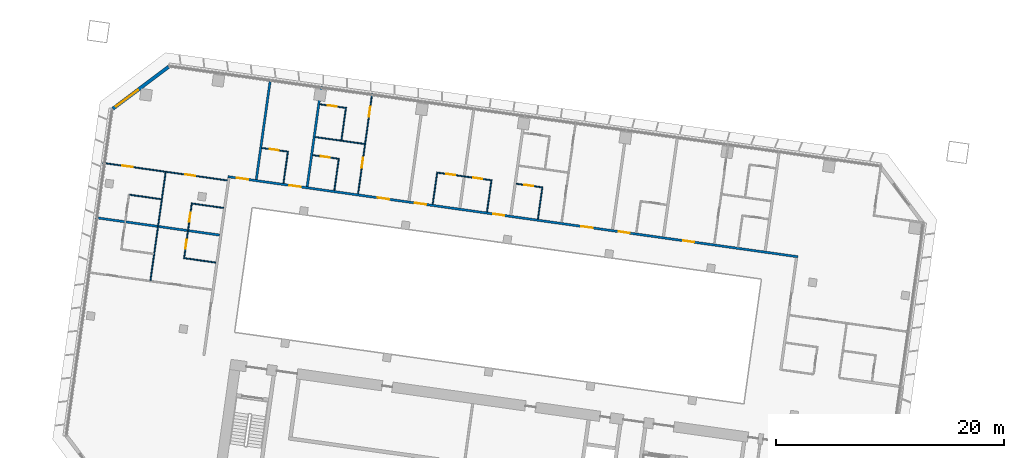
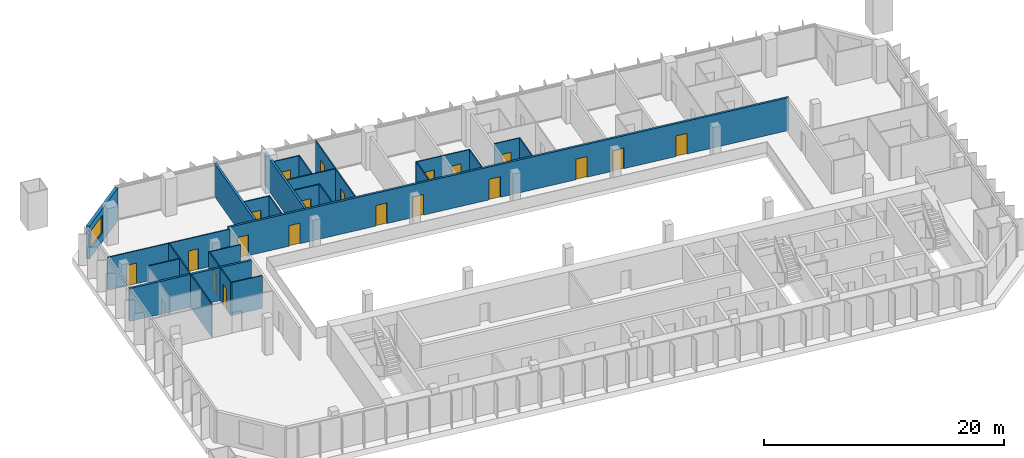
# One storey, part 16 of 25: 24 walls, 20 doors, 1 window, 21 openings.
"""IFC4 building model written with IfcOpenShell, lengths in metres."""

from ifc_helpers import new_model, si_unit, direction, frame, frame_2d, origin, place, context, subcontext, project, spatial, rectangle, extrude, material, layer, layer_set, type_object, element, fill, save


model = new_model("IFC4")

# Units and contexts
model_context = context("Model", 3, precision=1e-05, world=origin(), true_north=direction((0.0, 1.0)))
body_context = subcontext(model_context, "Body", "Model", "MODEL_VIEW")
ifc_project = project(units=[si_unit("LENGTHUNIT", "METRE"), si_unit("AREAUNIT", "SQUARE_METRE"), si_unit("VOLUMEUNIT", "CUBIC_METRE"), si_unit("PLANEANGLEUNIT", "RADIAN"), si_unit("MASSUNIT", "GRAM", prefix="KILO")], contexts=[model_context])

# Site, building, storey
site_placement = place(None, origin())
site = spatial("IfcSite", under=ifc_project, at=site_placement, CompositionType="ELEMENT")
building_placement = place(site_placement, origin())
building = spatial("IfcBuilding", under=site, at=building_placement, Name="Mirante Cascada Hotel Towers", CompositionType="ELEMENT")
storey_placement = place(building_placement, frame((0.0, 0.0, 54.7)))
storey = spatial("IfcBuildingStorey", under=building, at=storey_placement, Name="L10", CompositionType="ELEMENT", Elevation=54.7)

# Wall
ifc_material_1 = material(Name="Fire-rated plasterboard on metal studs")
ifc_layer_1 = layer(ifc_material_1, 0.2)
ifc_layer_set_1 = layer_set([ifc_layer_1], Name="Compartment wall 200 EI 120")
wall_type_1 = type_object("IfcWallType", Name="Compartment wall 200 EI 120", PredefinedType="PARTITIONING", material=ifc_layer_set_1)
wall_1_placement = place(storey_placement, frame((-89.7337, 11.2758, 0.0), z_axis=(0.0, 0.0, 1.0), x_axis=(-0.990268, 0.1391733, 0.0)))
element("IfcWall", 1, at=wall_1_placement, inside=storey, type_object=wall_type_1, Name="Wall 1-L10-13", PredefinedType="PARTITIONING", context=body_context, shape_type="SweptSolid", body=[
    extrude(rectangle(XDim=11.0, YDim=0.2, at=frame_2d((5.5, 0.0))), origin(), (0.0, 0.0, 1.0), 3.35),
])

# Wall, openings, doors
wall_2_placement = place(storey_placement, frame((-39.1051, 9.3779, 0.0), z_axis=(0.0, 0.0, 1.0), x_axis=(-0.9902681, 0.1391727, 0.0)))
wall_2 = element("IfcWall", 2, at=wall_2_placement, inside=storey, type_object=wall_type_1, Name="Wall 1-L10-17", PredefinedType="PARTITIONING", context=body_context, shape_type="SweptSolid", body=[
    extrude(rectangle(XDim=50.4, YDim=0.2, at=frame_2d((25.2, 0.0))), origin(), (0.0, 0.0, 1.0), 3.35),
])
opening_1_placement = place(wall_2_placement, frame((9.15, 0.0, 0.0)))
opening_1 = element("IfcOpeningElement", 3, at=opening_1_placement, cuts=wall_2, Name="Opening D1-L10-08", PredefinedType="OPENING", context=body_context, shape_type="SweptSolid", body=[
    extrude(rectangle(XDim=1.0, YDim=2.1, at=frame_2d((0.5, 1.05))), frame((0.0, 0.1, 0.0), z_axis=(0.0, -1.0, 0.0), x_axis=(1.0, 0.0, 0.0)), (0.0, 0.0, 1.0), 0.2),
])
opening_2_placement = place(wall_2_placement, frame((14.85, 0.0, 0.0)))
opening_2 = element("IfcOpeningElement", 4, at=opening_2_placement, cuts=wall_2, Name="Opening D1-L10-09", PredefinedType="OPENING", context=body_context, shape_type="SweptSolid", body=[
    extrude(rectangle(XDim=1.0, YDim=2.1, at=frame_2d((0.5, 1.05))), frame((0.0, 0.1, 0.0), z_axis=(0.0, -1.0, 0.0), x_axis=(1.0, 0.0, 0.0)), (0.0, 0.0, 1.0), 0.2),
])
opening_3_placement = place(wall_2_placement, frame((18.15, 0.0, 0.0)))
opening_3 = element("IfcOpeningElement", 5, at=opening_3_placement, cuts=wall_2, Name="Opening D1-L10-10", PredefinedType="OPENING", context=body_context, shape_type="SweptSolid", body=[
    extrude(rectangle(XDim=1.0, YDim=2.1, at=frame_2d((0.5, 1.05))), frame((0.0, 0.1, 0.0), z_axis=(0.0, -1.0, 0.0), x_axis=(1.0, 0.0, 0.0)), (0.0, 0.0, 1.0), 0.2),
])
opening_4_placement = place(wall_2_placement, frame((25.95, 0.0, 0.0)))
opening_4 = element("IfcOpeningElement", 6, at=opening_4_placement, cuts=wall_2, Name="Opening D1-L10-11", PredefinedType="OPENING", context=body_context, shape_type="SweptSolid", body=[
    extrude(rectangle(XDim=1.0, YDim=2.1, at=frame_2d((0.5, 1.05))), frame((0.0, 0.1, 0.0), z_axis=(0.0, -1.0, 0.0), x_axis=(1.0, 0.0, 0.0)), (0.0, 0.0, 1.0), 0.2),
])
opening_5_placement = place(wall_2_placement, frame((32.85, 0.0, 0.0)))
opening_5 = element("IfcOpeningElement", 7, at=opening_5_placement, cuts=wall_2, Name="Opening D1-L10-12", PredefinedType="OPENING", context=body_context, shape_type="SweptSolid", body=[
    extrude(rectangle(XDim=1.0, YDim=2.1, at=frame_2d((0.5, 1.05))), frame((0.0, 0.1, 0.0), z_axis=(0.0, -1.0, 0.0), x_axis=(1.0, 0.0, 0.0)), (0.0, 0.0, 1.0), 0.2),
])
opening_6_placement = place(wall_2_placement, frame((36.15, 0.0, 0.0)))
opening_6 = element("IfcOpeningElement", 8, at=opening_6_placement, cuts=wall_2, Name="Opening D1-L10-13", PredefinedType="OPENING", context=body_context, shape_type="SweptSolid", body=[
    extrude(rectangle(XDim=1.0, YDim=2.1, at=frame_2d((0.5, 1.05))), frame((0.0, 0.1, 0.0), z_axis=(0.0, -1.0, 0.0), x_axis=(1.0, 0.0, 0.0)), (0.0, 0.0, 1.0), 0.2),
])
opening_7_placement = place(wall_2_placement, frame((43.95, 0.0, 0.0)))
opening_7 = element("IfcOpeningElement", 9, at=opening_7_placement, cuts=wall_2, Name="Opening D1-L10-14", PredefinedType="OPENING", context=body_context, shape_type="SweptSolid", body=[
    extrude(rectangle(XDim=1.0, YDim=2.1, at=frame_2d((0.5, 1.05))), frame((0.0, 0.1, 0.0), z_axis=(0.0, -1.0, 0.0), x_axis=(1.0, 0.0, 0.0)), (0.0, 0.0, 1.0), 0.2),
])
opening_8_placement = place(wall_2_placement, frame((48.6, 0.0, 0.0)))
opening_8 = element("IfcOpeningElement", 10, at=opening_8_placement, cuts=wall_2, Name="Opening D1-L10-15", PredefinedType="OPENING", context=body_context, shape_type="SweptSolid", body=[
    extrude(rectangle(XDim=1.0, YDim=2.1, at=frame_2d((0.5, 1.05))), frame((0.0, 0.1, 0.0), z_axis=(0.0, -1.0, 0.0), x_axis=(1.0, 0.0, 0.0)), (0.0, 0.0, 1.0), 0.2),
])
ifc_material_2 = material(Name="Fire-rated timber door leaf", Category="wood")
door_type_1 = type_object("IfcDoorType", Name="Entrance door DG1 1000x2100 EI 60", OperationType="SINGLE_SWING_LEFT", PredefinedType="DOOR", material=ifc_material_2)
door_1_placement = place(opening_1_placement, frame((1.0, 0.0, 0.0), z_axis=(0.0, 0.0, 1.0), x_axis=(-1.0, 0.0, 0.0)))
door_1 = element("IfcDoor", 11, at=door_1_placement, inside=storey, type_object=door_type_1, Name="Door D1-L10-08", OperationType="SINGLE_SWING_RIGHT", OverallHeight=2.1, OverallWidth=1.0, PredefinedType="DOOR", context=body_context, shape_type="SweptSolid", body=[
    extrude(rectangle(XDim=1.0, YDim=2.1, at=frame_2d((0.5, 1.05))), frame((0.0, 0.025, 0.0), z_axis=(0.0, -1.0, 0.0), x_axis=(1.0, 0.0, 0.0)), (0.0, 0.0, 1.0), 0.05),
])
fill(opening_1, door_1)
door_2_placement = place(opening_2_placement, frame((1.0, 0.0, 0.0), z_axis=(0.0, 0.0, 1.0), x_axis=(-1.0, 0.0, 0.0)))
door_2 = element("IfcDoor", 12, at=door_2_placement, inside=storey, type_object=door_type_1, Name="Door D1-L10-09", OperationType="SINGLE_SWING_RIGHT", OverallHeight=2.1, OverallWidth=1.0, PredefinedType="DOOR", context=body_context, shape_type="SweptSolid", body=[
    extrude(rectangle(XDim=1.0, YDim=2.1, at=frame_2d((0.5, 1.05))), frame((0.0, 0.025, 0.0), z_axis=(0.0, -1.0, 0.0), x_axis=(1.0, 0.0, 0.0)), (0.0, 0.0, 1.0), 0.05),
])
fill(opening_2, door_2)
door_3_placement = place(opening_3_placement, frame((1.0, 0.0, 0.0), z_axis=(0.0, 0.0, 1.0), x_axis=(-1.0, 0.0, 0.0)))
door_3 = element("IfcDoor", 13, at=door_3_placement, inside=storey, type_object=door_type_1, Name="Door D1-L10-10", OperationType="SINGLE_SWING_RIGHT", OverallHeight=2.1, OverallWidth=1.0, PredefinedType="DOOR", context=body_context, shape_type="SweptSolid", body=[
    extrude(rectangle(XDim=1.0, YDim=2.1, at=frame_2d((0.5, 1.05))), frame((0.0, 0.025, 0.0), z_axis=(0.0, -1.0, 0.0), x_axis=(1.0, 0.0, 0.0)), (0.0, 0.0, 1.0), 0.05),
])
fill(opening_3, door_3)
door_4_placement = place(opening_4_placement, frame((1.0, 0.0, 0.0), z_axis=(0.0, 0.0, 1.0), x_axis=(-1.0, 0.0, 0.0)))
door_4 = element("IfcDoor", 14, at=door_4_placement, inside=storey, type_object=door_type_1, Name="Door D1-L10-11", OperationType="SINGLE_SWING_RIGHT", OverallHeight=2.1, OverallWidth=1.0, PredefinedType="DOOR", context=body_context, shape_type="SweptSolid", body=[
    extrude(rectangle(XDim=1.0, YDim=2.1, at=frame_2d((0.5, 1.05))), frame((0.0, 0.025, 0.0), z_axis=(0.0, -1.0, 0.0), x_axis=(1.0, 0.0, 0.0)), (0.0, 0.0, 1.0), 0.05),
])
fill(opening_4, door_4)
door_5_placement = place(opening_5_placement, frame((1.0, 0.0, 0.0), z_axis=(0.0, 0.0, 1.0), x_axis=(-1.0, 0.0, 0.0)))
door_5 = element("IfcDoor", 15, at=door_5_placement, inside=storey, type_object=door_type_1, Name="Door D1-L10-12", OperationType="SINGLE_SWING_RIGHT", OverallHeight=2.1, OverallWidth=1.0, PredefinedType="DOOR", context=body_context, shape_type="SweptSolid", body=[
    extrude(rectangle(XDim=1.0, YDim=2.1, at=frame_2d((0.5, 1.05))), frame((0.0, 0.025, 0.0), z_axis=(0.0, -1.0, 0.0), x_axis=(1.0, 0.0, 0.0)), (0.0, 0.0, 1.0), 0.05),
])
fill(opening_5, door_5)
door_6_placement = place(opening_6_placement, frame((1.0, 0.0, 0.0), z_axis=(0.0, 0.0, 1.0), x_axis=(-1.0, 0.0, 0.0)))
door_6 = element("IfcDoor", 16, at=door_6_placement, inside=storey, type_object=door_type_1, Name="Door D1-L10-13", OperationType="SINGLE_SWING_RIGHT", OverallHeight=2.1, OverallWidth=1.0, PredefinedType="DOOR", context=body_context, shape_type="SweptSolid", body=[
    extrude(rectangle(XDim=1.0, YDim=2.1, at=frame_2d((0.5, 1.05))), frame((0.0, 0.025, 0.0), z_axis=(0.0, -1.0, 0.0), x_axis=(1.0, 0.0, 0.0)), (0.0, 0.0, 1.0), 0.05),
])
fill(opening_6, door_6)
door_7_placement = place(opening_7_placement, frame((1.0, 0.0, 0.0), z_axis=(0.0, 0.0, 1.0), x_axis=(-1.0, 0.0, 0.0)))
door_7 = element("IfcDoor", 17, at=door_7_placement, inside=storey, type_object=door_type_1, Name="Door D1-L10-14", OperationType="SINGLE_SWING_RIGHT", OverallHeight=2.1, OverallWidth=1.0, PredefinedType="DOOR", context=body_context, shape_type="SweptSolid", body=[
    extrude(rectangle(XDim=1.0, YDim=2.1, at=frame_2d((0.5, 1.05))), frame((0.0, 0.025, 0.0), z_axis=(0.0, -1.0, 0.0), x_axis=(1.0, 0.0, 0.0)), (0.0, 0.0, 1.0), 0.05),
])
fill(opening_7, door_7)
door_8_placement = place(opening_8_placement, frame((1.0, 0.0, 0.0), z_axis=(0.0, 0.0, 1.0), x_axis=(-1.0, 0.0, 0.0)))
door_8 = element("IfcDoor", 18, at=door_8_placement, inside=storey, type_object=door_type_1, Name="Door D1-L10-15", OperationType="SINGLE_SWING_RIGHT", OverallHeight=2.1, OverallWidth=1.0, PredefinedType="DOOR", context=body_context, shape_type="SweptSolid", body=[
    extrude(rectangle(XDim=1.0, YDim=2.1, at=frame_2d((0.5, 1.05))), frame((0.0, 0.025, 0.0), z_axis=(0.0, -1.0, 0.0), x_axis=(1.0, 0.0, 0.0)), (0.0, 0.0, 1.0), 0.05),
])
fill(opening_8, door_8)

# Walls
wall_3_placement = place(storey_placement, frame((-80.8302, 24.3304, 0.0), z_axis=(0.0, 0.0, 1.0), x_axis=(-0.13917, -0.9902685, 0.0)))
element("IfcWall", 19, at=wall_3_placement, inside=storey, type_object=wall_type_1, Name="Wall 1-L10-56", PredefinedType="PARTITIONING", context=body_context, shape_type="SweptSolid", body=[
    extrude(rectangle(XDim=8.8999, YDim=0.2, at=frame_2d((4.45, 0.0))), origin(), (0.0, 0.0, 1.0), 3.35),
])
wall_4_placement = place(storey_placement, frame((-85.2864, 24.9567, 0.0), z_axis=(0.0, 0.0, 1.0), x_axis=(-0.1391684, -0.9902687, 0.0)))
element("IfcWall", 20, at=wall_4_placement, inside=storey, type_object=wall_type_1, Name="Wall 1-L10-58", PredefinedType="PARTITIONING", context=body_context, shape_type="SweptSolid", body=[
    extrude(rectangle(XDim=8.9, YDim=0.2, at=frame_2d((4.45, 0.0))), origin(), (0.0, 0.0, 1.0), 3.35),
])
ifc_material_3 = material(Name="Plasterboard on metal studs")
ifc_layer_2 = layer(ifc_material_3, 0.1)
ifc_layer_set_2 = layer_set([ifc_layer_2], Name="Partition 100")
wall_type_2 = type_object("IfcWallType", Name="Partition 100", PredefinedType="PARTITIONING", material=ifc_layer_set_2)
wall_5_placement = place(storey_placement, frame((-92.7956, 9.2489, 0.0), z_axis=(0.0, 0.0, 1.0), x_axis=(0.9902698, -0.1391607, 0.0)))
element("IfcWall", 21, at=wall_5_placement, inside=storey, type_object=wall_type_2, Name="Wall 1-L10-10", PredefinedType="PARTITIONING", context=body_context, shape_type="SweptSolid", body=[
    extrude(rectangle(XDim=2.7501, YDim=0.1, at=frame_2d((1.3751, 0.0))), origin(), (0.0, 0.0, 1.0), 3.35),
])
wall_6_placement = place(storey_placement, frame((-92.1229, 14.0352, 0.0), z_axis=(0.0, 0.0, 1.0), x_axis=(0.9902691, -0.1391657, 0.0)))
element("IfcWall", 22, at=wall_6_placement, inside=storey, type_object=wall_type_2, Name="Wall 1-L10-14", PredefinedType="PARTITIONING", context=body_context, shape_type="SweptSolid", body=[
    extrude(rectangle(XDim=2.75, YDim=0.1, at=frame_2d((1.375, 0.0))), origin(), (0.0, 0.0, 1.0), 3.35),
])
wall_7_placement = place(storey_placement, frame((-94.8461, 14.4179, 0.0), z_axis=(0.0, 0.0, 1.0), x_axis=(-0.9902677, 0.139176, 0.0)))
element("IfcWall", 23, at=wall_7_placement, inside=storey, type_object=wall_type_2, Name="Wall 1-L10-15", PredefinedType="PARTITIONING", context=body_context, shape_type="SweptSolid", body=[
    extrude(rectangle(XDim=2.8001, YDim=0.1, at=frame_2d((1.4, 0.0))), origin(), (0.0, 0.0, 1.0), 3.35),
])

# Wall, openings, doors
wall_8_placement = place(storey_placement, frame((-99.954, 17.5931, 0.0), z_axis=(0.0, 0.0, 1.0), x_axis=(0.9902682, -0.1391721, 0.0)))
wall_8 = element("IfcWall", 24, at=wall_8_placement, inside=storey, type_object=wall_type_2, Name="Wall 1-L10-16", PredefinedType="PARTITIONING", context=body_context, shape_type="SweptSolid", body=[
    extrude(rectangle(XDim=11.0001, YDim=0.1, at=frame_2d((5.5, 0.0))), origin(), (0.0, 0.0, 1.0), 3.35),
])
opening_9_placement = place(wall_8_placement, frame((7.275, 0.0, 0.0)))
opening_9 = element("IfcOpeningElement", 25, at=opening_9_placement, cuts=wall_8, Name="Opening D1-L10-06", PredefinedType="OPENING", context=body_context, shape_type="SweptSolid", body=[
    extrude(rectangle(XDim=0.9, YDim=2.1, at=frame_2d((0.45, 1.05))), frame((0.0, 0.05, 0.0), z_axis=(0.0, -1.0, 0.0), x_axis=(1.0, 0.0, 0.0)), (0.0, 0.0, 1.0), 0.1),
])
opening_10_placement = place(wall_8_placement, frame((1.725, 0.0, 0.0)))
opening_10 = element("IfcOpeningElement", 26, at=opening_10_placement, cuts=wall_8, Name="Opening D1-L10-07", PredefinedType="OPENING", context=body_context, shape_type="SweptSolid", body=[
    extrude(rectangle(XDim=0.9, YDim=2.1, at=frame_2d((0.45, 1.05))), frame((0.0, 0.05, 0.0), z_axis=(0.0, -1.0, 0.0), x_axis=(1.0, 0.0, 0.0)), (0.0, 0.0, 1.0), 0.1),
])
ifc_material_4 = material(Name="Timber door leaf", Category="wood")
door_type_2 = type_object("IfcDoorType", Name="Room door DG3 900x2100", OperationType="SINGLE_SWING_LEFT", PredefinedType="DOOR", material=ifc_material_4)
door_9_placement = place(opening_9_placement, origin())
door_9 = element("IfcDoor", 27, at=door_9_placement, inside=storey, type_object=door_type_2, Name="Door D1-L10-06", OperationType="SINGLE_SWING_LEFT", OverallHeight=2.1, OverallWidth=0.9, PredefinedType="DOOR", context=body_context, shape_type="SweptSolid", body=[
    extrude(rectangle(XDim=0.9, YDim=2.1, at=frame_2d((0.45, 1.05))), frame((0.0, 0.025, 0.0), z_axis=(0.0, -1.0, 0.0), x_axis=(1.0, 0.0, 0.0)), (0.0, 0.0, 1.0), 0.05),
])
fill(opening_9, door_9)
door_10_placement = place(opening_10_placement, origin())
door_10 = element("IfcDoor", 28, at=door_10_placement, inside=storey, type_object=door_type_2, Name="Door D1-L10-07", OperationType="SINGLE_SWING_LEFT", OverallHeight=2.1, OverallWidth=0.9, PredefinedType="DOOR", context=body_context, shape_type="SweptSolid", body=[
    extrude(rectangle(XDim=0.9, YDim=2.1, at=frame_2d((0.45, 1.05))), frame((0.0, 0.025, 0.0), z_axis=(0.0, -1.0, 0.0), x_axis=(1.0, 0.0, 0.0)), (0.0, 0.0, 1.0), 0.05),
])
fill(opening_10, door_10)

# Wall, opening, door
wall_9_placement = place(storey_placement, frame((-63.7553, 15.7708, 0.0), z_axis=(0.0, 0.0, 1.0), x_axis=(0.9902643, -0.1391997, 0.0)))
wall_9 = element("IfcWall", 29, at=wall_9_placement, inside=storey, type_object=wall_type_2, Name="Wall 1-L10-20", PredefinedType="PARTITIONING", context=body_context, shape_type="SweptSolid", body=[
    extrude(rectangle(XDim=2.25, YDim=0.1, at=frame_2d((1.125, 0.0))), origin(), (0.0, 0.0, 1.0), 3.35),
])
opening_11_placement = place(wall_9_placement, frame((0.7, 0.0, 0.0)))
opening_11 = element("IfcOpeningElement", 30, at=opening_11_placement, cuts=wall_9, Name="Opening D1-L10-18", PredefinedType="OPENING", context=body_context, shape_type="SweptSolid", body=[
    extrude(rectangle(XDim=0.8, YDim=2.1, at=frame_2d((0.4, 1.05))), frame((0.0, 0.05, 0.0), z_axis=(0.0, -1.0, 0.0), x_axis=(1.0, 0.0, 0.0)), (0.0, 0.0, 1.0), 0.1),
])
ifc_material_5 = material(Name="Timber door leaf", Category="wood")
door_type_3 = type_object("IfcDoorType", Name="Bathroom door DG4 800x2100", OperationType="SINGLE_SWING_LEFT", PredefinedType="DOOR", material=ifc_material_5)
door_11_placement = place(opening_11_placement, frame((0.8, 0.0, 0.0), z_axis=(0.0, 0.0, 1.0), x_axis=(-1.0, 0.0, 0.0)))
door_11 = element("IfcDoor", 31, at=door_11_placement, inside=storey, type_object=door_type_3, Name="Door D1-L10-18", OperationType="SINGLE_SWING_RIGHT", OverallHeight=2.1, OverallWidth=0.8, PredefinedType="DOOR", context=body_context, shape_type="SweptSolid", body=[
    extrude(rectangle(XDim=0.8, YDim=2.1, at=frame_2d((0.4, 1.05))), frame((0.0, 0.025, 0.0), z_axis=(0.0, -1.0, 0.0), x_axis=(1.0, 0.0, 0.0)), (0.0, 0.0, 1.0), 0.05),
])
fill(opening_11, door_11)

# Wall, openings, doors
wall_10_placement = place(storey_placement, frame((-65.8844, 16.07, 0.0), z_axis=(0.0, 0.0, 1.0), x_axis=(-0.9902694, 0.1391638, 0.0)))
wall_10 = element("IfcWall", 32, at=wall_10_placement, inside=storey, type_object=wall_type_2, Name="Wall 1-L10-21", PredefinedType="PARTITIONING", context=body_context, shape_type="SweptSolid", body=[
    extrude(rectangle(XDim=4.9, YDim=0.1, at=frame_2d((2.45, 0.0))), origin(), (0.0, 0.0, 1.0), 3.35),
])
opening_12_placement = place(wall_10_placement, frame((0.85, 0.0, 0.0)))
opening_12 = element("IfcOpeningElement", 33, at=opening_12_placement, cuts=wall_10, Name="Opening D1-L10-19", PredefinedType="OPENING", context=body_context, shape_type="SweptSolid", body=[
    extrude(rectangle(XDim=0.8, YDim=2.1, at=frame_2d((0.4, 1.05))), frame((0.0, 0.05, 0.0), z_axis=(0.0, -1.0, 0.0), x_axis=(1.0, 0.0, 0.0)), (0.0, 0.0, 1.0), 0.1),
])
opening_13_placement = place(wall_10_placement, frame((3.25, 0.0, 0.0)))
opening_13 = element("IfcOpeningElement", 34, at=opening_13_placement, cuts=wall_10, Name="Opening D1-L10-20", PredefinedType="OPENING", context=body_context, shape_type="SweptSolid", body=[
    extrude(rectangle(XDim=0.8, YDim=2.1, at=frame_2d((0.4, 1.05))), frame((0.0, 0.05, 0.0), z_axis=(0.0, -1.0, 0.0), x_axis=(1.0, 0.0, 0.0)), (0.0, 0.0, 1.0), 0.1),
])
door_12_placement = place(opening_12_placement, frame((0.8, 0.0, 0.0), z_axis=(0.0, 0.0, 1.0), x_axis=(-1.0, 0.0, 0.0)))
door_12 = element("IfcDoor", 35, at=door_12_placement, inside=storey, type_object=door_type_3, Name="Door D1-L10-19", OperationType="SINGLE_SWING_RIGHT", OverallHeight=2.1, OverallWidth=0.8, PredefinedType="DOOR", context=body_context, shape_type="SweptSolid", body=[
    extrude(rectangle(XDim=0.8, YDim=2.1, at=frame_2d((0.4, 1.05))), frame((0.0, 0.025, 0.0), z_axis=(0.0, -1.0, 0.0), x_axis=(1.0, 0.0, 0.0)), (0.0, 0.0, 1.0), 0.05),
])
fill(opening_12, door_12)
door_13_placement = place(opening_13_placement, frame((0.8, 0.0, 0.0), z_axis=(0.0, 0.0, 1.0), x_axis=(-1.0, 0.0, 0.0)))
door_13 = element("IfcDoor", 36, at=door_13_placement, inside=storey, type_object=door_type_3, Name="Door D1-L10-20", OperationType="SINGLE_SWING_RIGHT", OverallHeight=2.1, OverallWidth=0.8, PredefinedType="DOOR", context=body_context, shape_type="SweptSolid", body=[
    extrude(rectangle(XDim=0.8, YDim=2.1, at=frame_2d((0.4, 1.05))), frame((0.0, 0.025, 0.0), z_axis=(0.0, -1.0, 0.0), x_axis=(1.0, 0.0, 0.0)), (0.0, 0.0, 1.0), 0.05),
])
fill(opening_13, door_13)

# Wall, opening, door
wall_11_placement = place(storey_placement, frame((-81.5801, 18.2759, 0.0), z_axis=(0.0, 0.0, 1.0), x_axis=(0.9902643, -0.1391997, 0.0)))
wall_11 = element("IfcWall", 37, at=wall_11_placement, inside=storey, type_object=wall_type_2, Name="Wall 1-L10-22", PredefinedType="PARTITIONING", context=body_context, shape_type="SweptSolid", body=[
    extrude(rectangle(XDim=2.25, YDim=0.1, at=frame_2d((1.125, 0.0))), origin(), (0.0, 0.0, 1.0), 3.35),
])
opening_14_placement = place(wall_11_placement, frame((0.7, 0.0, 0.0)))
opening_14 = element("IfcOpeningElement", 38, at=opening_14_placement, cuts=wall_11, Name="Opening D1-L10-21", PredefinedType="OPENING", context=body_context, shape_type="SweptSolid", body=[
    extrude(rectangle(XDim=0.8, YDim=2.1, at=frame_2d((0.4, 1.05))), frame((0.0, 0.05, 0.0), z_axis=(0.0, -1.0, 0.0), x_axis=(1.0, 0.0, 0.0)), (0.0, 0.0, 1.0), 0.1),
])
door_14_placement = place(opening_14_placement, frame((0.8, 0.0, 0.0), z_axis=(0.0, 0.0, 1.0), x_axis=(-1.0, 0.0, 0.0)))
door_14 = element("IfcDoor", 39, at=door_14_placement, inside=storey, type_object=door_type_3, Name="Door D1-L10-21", OperationType="SINGLE_SWING_RIGHT", OverallHeight=2.1, OverallWidth=0.8, PredefinedType="DOOR", context=body_context, shape_type="SweptSolid", body=[
    extrude(rectangle(XDim=0.8, YDim=2.1, at=frame_2d((0.4, 1.05))), frame((0.0, 0.025, 0.0), z_axis=(0.0, -1.0, 0.0), x_axis=(1.0, 0.0, 0.0)), (0.0, 0.0, 1.0), 0.05),
])
fill(opening_14, door_14)

wall_12_placement = place(storey_placement, frame((-83.8082, 18.589, 0.0), z_axis=(0.0, 0.0, 1.0), x_axis=(-0.9902643, 0.1391997, 0.0)))
wall_12 = element("IfcWall", 40, at=wall_12_placement, inside=storey, type_object=wall_type_2, Name="Wall 1-L10-23", PredefinedType="PARTITIONING", context=body_context, shape_type="SweptSolid", body=[
    extrude(rectangle(XDim=2.25, YDim=0.1, at=frame_2d((1.125, 0.0))), origin(), (0.0, 0.0, 1.0), 3.35),
])
opening_15_placement = place(wall_12_placement, frame((0.75, 0.0, 0.0)))
opening_15 = element("IfcOpeningElement", 41, at=opening_15_placement, cuts=wall_12, Name="Opening D1-L10-22", PredefinedType="OPENING", context=body_context, shape_type="SweptSolid", body=[
    extrude(rectangle(XDim=0.8, YDim=2.1, at=frame_2d((0.4, 1.05))), frame((0.0, 0.05, 0.0), z_axis=(0.0, -1.0, 0.0), x_axis=(1.0, 0.0, 0.0)), (0.0, 0.0, 1.0), 0.1),
])
door_15_placement = place(opening_15_placement, frame((0.8, 0.0, 0.0), z_axis=(0.0, 0.0, 1.0), x_axis=(-1.0, 0.0, 0.0)))
door_15 = element("IfcDoor", 42, at=door_15_placement, inside=storey, type_object=door_type_3, Name="Door D1-L10-22", OperationType="SINGLE_SWING_RIGHT", OverallHeight=2.1, OverallWidth=0.8, PredefinedType="DOOR", context=body_context, shape_type="SweptSolid", body=[
    extrude(rectangle(XDim=0.8, YDim=2.1, at=frame_2d((0.4, 1.05))), frame((0.0, 0.025, 0.0), z_axis=(0.0, -1.0, 0.0), x_axis=(1.0, 0.0, 0.0)), (0.0, 0.0, 1.0), 0.05),
])
fill(opening_15, door_15)

# Wall
wall_13_placement = place(storey_placement, frame((-77.0498, 19.2549, 0.0), z_axis=(0.0, 0.0, 1.0), x_axis=(-0.9902679, 0.1391745, 0.0)))
element("IfcWall", 43, at=wall_13_placement, inside=storey, type_object=wall_type_2, Name="Wall 1-L10-27", PredefinedType="PARTITIONING", context=body_context, shape_type="SweptSolid", body=[
    extrude(rectangle(XDim=4.3499, YDim=0.1, at=frame_2d((2.175, 0.0))), origin(), (0.0, 0.0, 1.0), 3.35),
])

# Wall, opening, door
wall_14_placement = place(storey_placement, frame((-80.9538, 22.7321, 0.0), z_axis=(0.0, 0.0, 1.0), x_axis=(0.9902705, -0.1391561, 0.0)))
wall_14 = element("IfcWall", 44, at=wall_14_placement, inside=storey, type_object=wall_type_2, Name="Wall 1-L10-30", PredefinedType="PARTITIONING", context=body_context, shape_type="SweptSolid", body=[
    extrude(rectangle(XDim=2.25, YDim=0.1, at=frame_2d((1.125, 0.0))), origin(), (0.0, 0.0, 1.0), 3.35),
])
opening_16_placement = place(wall_14_placement, frame((0.7, 0.0, 0.0)))
opening_16 = element("IfcOpeningElement", 45, at=opening_16_placement, cuts=wall_14, Name="Opening D1-L10-25", PredefinedType="OPENING", context=body_context, shape_type="SweptSolid", body=[
    extrude(rectangle(XDim=0.8, YDim=2.1, at=frame_2d((0.4, 1.05))), frame((0.0, 0.05, 0.0), z_axis=(0.0, -1.0, 0.0), x_axis=(1.0, 0.0, 0.0)), (0.0, 0.0, 1.0), 0.1),
])
door_16_placement = place(opening_16_placement, frame((0.8, 0.0, 0.0), z_axis=(0.0, 0.0, 1.0), x_axis=(-1.0, 0.0, 0.0)))
door_16 = element("IfcDoor", 46, at=door_16_placement, inside=storey, type_object=door_type_3, Name="Door D1-L10-25", OperationType="SINGLE_SWING_RIGHT", OverallHeight=2.1, OverallWidth=0.8, PredefinedType="DOOR", context=body_context, shape_type="SweptSolid", body=[
    extrude(rectangle(XDim=0.8, YDim=2.1, at=frame_2d((0.4, 1.05))), frame((0.0, 0.025, 0.0), z_axis=(0.0, -1.0, 0.0), x_axis=(1.0, 0.0, 0.0)), (0.0, 0.0, 1.0), 0.05),
])
fill(opening_16, door_16)

# Walls
wall_15_placement = place(storey_placement, frame((-61.4707, 15.5002, 0.0), z_axis=(0.0, 0.0, 1.0), x_axis=(-0.1391909, -0.9902656, 0.0)))
element("IfcWall", 47, at=wall_15_placement, inside=storey, type_object=wall_type_2, Name="Wall 1-L10-46", PredefinedType="PARTITIONING", context=body_context, shape_type="SweptSolid", body=[
    extrude(rectangle(XDim=2.85, YDim=0.1, at=frame_2d((1.425, 0.0))), origin(), (0.0, 0.0, 1.0), 3.35),
])
wall_16_placement = place(storey_placement, frame((-66.3236, 13.3042, 0.0), z_axis=(0.0, 0.0, 1.0), x_axis=(0.1392013, 0.9902641, 0.0)))
element("IfcWall", 48, at=wall_16_placement, inside=storey, type_object=wall_type_2, Name="Wall 1-L10-49", PredefinedType="PARTITIONING", context=body_context, shape_type="SweptSolid", body=[
    extrude(rectangle(XDim=2.75, YDim=0.1, at=frame_2d((1.375, 0.0))), origin(), (0.0, 0.0, 1.0), 3.35),
])
wall_17_placement = place(storey_placement, frame((-71.0769, 13.9722, 0.0), z_axis=(0.0, 0.0, 1.0), x_axis=(0.1391963, 0.9902648, 0.0)))
element("IfcWall", 49, at=wall_17_placement, inside=storey, type_object=wall_type_2, Name="Wall 1-L10-51", PredefinedType="PARTITIONING", context=body_context, shape_type="SweptSolid", body=[
    extrude(rectangle(XDim=2.7501, YDim=0.1, at=frame_2d((1.3751, 0.0))), origin(), (0.0, 0.0, 1.0), 3.35),
])

# Wall, openings, doors
wall_18_placement = place(storey_placement, frame((-77.6126, 14.8908, 0.0), z_axis=(0.0, 0.0, 1.0), x_axis=(0.1391684, 0.9902687, 0.0)))
wall_18 = element("IfcWall", 50, at=wall_18_placement, inside=storey, type_object=wall_type_2, Name="Wall 1-L10-53", PredefinedType="PARTITIONING", context=body_context, shape_type="SweptSolid", body=[
    extrude(rectangle(XDim=8.9, YDim=0.1, at=frame_2d((4.45, 0.0))), origin(), (0.0, 0.0, 1.0), 3.35),
])
opening_17_placement = place(wall_18_placement, frame((2.3, 0.0, 0.0)))
opening_17 = element("IfcOpeningElement", 51, at=opening_17_placement, cuts=wall_18, Name="Opening D1-L10-36", PredefinedType="OPENING", context=body_context, shape_type="SweptSolid", body=[
    extrude(rectangle(XDim=0.9, YDim=2.1, at=frame_2d((0.45, 1.05))), frame((0.0, 0.05, 0.0), z_axis=(0.0, -1.0, 0.0), x_axis=(1.0, 0.0, 0.0)), (0.0, 0.0, 1.0), 0.1),
])
opening_18_placement = place(wall_18_placement, frame((6.8, 0.0, 0.0)))
opening_18 = element("IfcOpeningElement", 52, at=opening_18_placement, cuts=wall_18, Name="Opening D1-L10-37", PredefinedType="OPENING", context=body_context, shape_type="SweptSolid", body=[
    extrude(rectangle(XDim=0.9, YDim=2.1, at=frame_2d((0.45, 1.05))), frame((0.0, 0.05, 0.0), z_axis=(0.0, -1.0, 0.0), x_axis=(1.0, 0.0, 0.0)), (0.0, 0.0, 1.0), 0.1),
])
door_17_placement = place(opening_17_placement, frame((0.9, 0.0, 0.0), z_axis=(0.0, 0.0, 1.0), x_axis=(-1.0, 0.0, 0.0)))
door_17 = element("IfcDoor", 53, at=door_17_placement, inside=storey, type_object=door_type_2, Name="Door D1-L10-36", OperationType="SINGLE_SWING_RIGHT", OverallHeight=2.1, OverallWidth=0.9, PredefinedType="DOOR", context=body_context, shape_type="SweptSolid", body=[
    extrude(rectangle(XDim=0.9, YDim=2.1, at=frame_2d((0.45, 1.05))), frame((0.0, 0.025, 0.0), z_axis=(0.0, -1.0, 0.0), x_axis=(1.0, 0.0, 0.0)), (0.0, 0.0, 1.0), 0.05),
])
fill(opening_17, door_17)
door_18_placement = place(opening_18_placement, frame((0.9, 0.0, 0.0), z_axis=(0.0, 0.0, 1.0), x_axis=(-1.0, 0.0, 0.0)))
door_18 = element("IfcDoor", 54, at=door_18_placement, inside=storey, type_object=door_type_2, Name="Door D1-L10-37", OperationType="SINGLE_SWING_RIGHT", OverallHeight=2.1, OverallWidth=0.9, PredefinedType="DOOR", context=body_context, shape_type="SweptSolid", body=[
    extrude(rectangle(XDim=0.9, YDim=2.1, at=frame_2d((0.45, 1.05))), frame((0.0, 0.025, 0.0), z_axis=(0.0, -1.0, 0.0), x_axis=(1.0, 0.0, 0.0)), (0.0, 0.0, 1.0), 0.05),
])
fill(opening_18, door_18)

# Walls
wall_19_placement = place(storey_placement, frame((-79.2955, 18.0053, 0.0), z_axis=(0.0, 0.0, 1.0), x_axis=(-0.1391909, -0.9902656, 0.0)))
element("IfcWall", 55, at=wall_19_placement, inside=storey, type_object=wall_type_2, Name="Wall 1-L10-54", PredefinedType="PARTITIONING", context=body_context, shape_type="SweptSolid", body=[
    extrude(rectangle(XDim=2.85, YDim=0.1, at=frame_2d((1.425, 0.0))), origin(), (0.0, 0.0, 1.0), 3.35),
])
wall_20_placement = place(storey_placement, frame((-79.0729, 19.5897, 0.0), z_axis=(0.0, 0.0, 1.0), x_axis=(0.1391714, 0.9902683, 0.0)))
element("IfcWall", 56, at=wall_20_placement, inside=storey, type_object=wall_type_2, Name="Wall 1-L10-55", PredefinedType="PARTITIONING", context=body_context, shape_type="SweptSolid", body=[
    extrude(rectangle(XDim=2.9, YDim=0.1, at=frame_2d((1.45, 0.0))), origin(), (0.0, 0.0, 1.0), 3.35),
])
wall_21_placement = place(storey_placement, frame((-84.1484, 15.8093, 0.0), z_axis=(0.0, 0.0, 1.0), x_axis=(0.1391909, 0.9902656, 0.0)))
element("IfcWall", 57, at=wall_21_placement, inside=storey, type_object=wall_type_2, Name="Wall 1-L10-57", PredefinedType="PARTITIONING", context=body_context, shape_type="SweptSolid", body=[
    extrude(rectangle(XDim=2.85, YDim=0.1, at=frame_2d((1.425, 0.0))), origin(), (0.0, 0.0, 1.0), 3.35),
])

# Wall, openings, doors
wall_22_placement = place(storey_placement, frame((-92.1655, 14.0917, 0.0), z_axis=(0.0, 0.0, 1.0), x_axis=(-0.1391564, -0.9902704, 0.0)))
wall_22 = element("IfcWall", 58, at=wall_22_placement, inside=storey, type_object=wall_type_2, Name="Wall 1-L10-60", PredefinedType="PARTITIONING", context=body_context, shape_type="SweptSolid", body=[
    extrude(rectangle(XDim=4.9333, YDim=0.1, at=frame_2d((2.4666, 0.0))), origin(), (0.0, 0.0, 1.0), 3.35),
])
opening_19_placement = place(wall_22_placement, frame((3.25, 0.0, 0.0)))
opening_19 = element("IfcOpeningElement", 59, at=opening_19_placement, cuts=wall_22, Name="Opening D1-L10-39", PredefinedType="OPENING", context=body_context, shape_type="SweptSolid", body=[
    extrude(rectangle(XDim=0.8, YDim=2.1, at=frame_2d((0.4, 1.05))), frame((0.0, 0.05, 0.0), z_axis=(0.0, -1.0, 0.0), x_axis=(1.0, 0.0, 0.0)), (0.0, 0.0, 1.0), 0.1),
])
opening_20_placement = place(wall_22_placement, frame((0.85, 0.0, 0.0)))
opening_20 = element("IfcOpeningElement", 60, at=opening_20_placement, cuts=wall_22, Name="Opening D1-L10-40", PredefinedType="OPENING", context=body_context, shape_type="SweptSolid", body=[
    extrude(rectangle(XDim=0.8, YDim=2.1, at=frame_2d((0.4, 1.05))), frame((0.0, 0.05, 0.0), z_axis=(0.0, -1.0, 0.0), x_axis=(1.0, 0.0, 0.0)), (0.0, 0.0, 1.0), 0.1),
])
door_19_placement = place(opening_19_placement, frame((0.8, 0.0, 0.0), z_axis=(0.0, 0.0, 1.0), x_axis=(-1.0, 0.0, 0.0)))
door_19 = element("IfcDoor", 61, at=door_19_placement, inside=storey, type_object=door_type_3, Name="Door D1-L10-39", OperationType="SINGLE_SWING_RIGHT", OverallHeight=2.1, OverallWidth=0.8, PredefinedType="DOOR", context=body_context, shape_type="SweptSolid", body=[
    extrude(rectangle(XDim=0.8, YDim=2.1, at=frame_2d((0.4, 1.05))), frame((0.0, 0.025, 0.0), z_axis=(0.0, -1.0, 0.0), x_axis=(1.0, 0.0, 0.0)), (0.0, 0.0, 1.0), 0.05),
])
fill(opening_19, door_19)
door_20_placement = place(opening_20_placement, origin())
door_20 = element("IfcDoor", 62, at=door_20_placement, inside=storey, type_object=door_type_3, Name="Door D1-L10-40", OperationType="SINGLE_SWING_LEFT", OverallHeight=2.1, OverallWidth=0.8, PredefinedType="DOOR", context=body_context, shape_type="SweptSolid", body=[
    extrude(rectangle(XDim=0.8, YDim=2.1, at=frame_2d((0.4, 1.05))), frame((0.0, 0.025, 0.0), z_axis=(0.0, -1.0, 0.0), x_axis=(1.0, 0.0, 0.0)), (0.0, 0.0, 1.0), 0.05),
])
fill(opening_20, door_20)

# Wall
wall_23_placement = place(storey_placement, frame((-95.7964, 7.2976, 0.0), z_axis=(0.0, 0.0, 1.0), x_axis=(0.1391805, 0.990267, 0.0)))
element("IfcWall", 63, at=wall_23_placement, inside=storey, type_object=wall_type_2, Name="Wall 1-L10-61", PredefinedType="PARTITIONING", context=body_context, shape_type="SweptSolid", body=[
    extrude(rectangle(XDim=9.5667, YDim=0.1, at=frame_2d((4.7834, 0.0))), origin(), (0.0, 0.0, 1.0), 3.35),
])

# Wall, opening, window
ifc_material_6 = material(Name="Precast concrete C40/50", Category="concrete")
ifc_layer_3 = layer(ifc_material_6, 0.3)
ifc_layer_set_3 = layer_set([ifc_layer_3], Name="Precast concrete C40/50 cladding wall 300")
wall_type_3 = type_object("IfcWallType", Name="Precast concrete C40/50 cladding wall 300", PredefinedType="STANDARD", material=ifc_layer_set_3)
wall_24_placement = place(storey_placement, frame((-99.0919, 22.3343, 0.0), z_axis=(0.0, 0.0, 1.0), x_axis=(0.7986362, 0.6018141, 0.0)))
wall_24 = element("IfcWall", 64, at=wall_24_placement, inside=storey, type_object=wall_type_3, Name="Corner cladding wall T1 L10 outer front", PredefinedType="STANDARD", context=body_context, shape_type="SweptSolid", body=[
    extrude(rectangle(XDim=6.1157, YDim=0.3, at=frame_2d((3.0578, 0.0))), origin(), (0.0, 0.0, 1.0), 3.35),
])
opening_21_placement = place(wall_24_placement, frame((0.35, 0.0, 0.9)))
opening_21 = element("IfcOpeningElement", 65, at=opening_21_placement, cuts=wall_24, Name="Opening W1-10-06", PredefinedType="OPENING", context=body_context, shape_type="SweptSolid", body=[
    extrude(rectangle(XDim=2.4, YDim=1.8, at=frame_2d((1.2, 0.9))), frame((0.0, 0.15, 0.0), z_axis=(0.0, -1.0, 0.0), x_axis=(1.0, 0.0, 0.0)), (0.0, 0.0, 1.0), 0.3),
])
ifc_material_7 = material(Name="Aluminium frame with clear double glazing", Category="aluminium")
window_type = type_object("IfcWindowType", Name="Punched window 2400x1800", PartitioningType="DOUBLE_PANEL_VERTICAL", PredefinedType="WINDOW", material=ifc_material_7)
window_placement = place(opening_21_placement, origin())
window = element("IfcWindow", 66, at=window_placement, inside=storey, type_object=window_type, Name="Window W1-10-06", OverallHeight=1.8, OverallWidth=2.4, PartitioningType="SINGLE_PANEL", PredefinedType="WINDOW", context=body_context, shape_type="SweptSolid", body=[
    extrude(rectangle(XDim=2.4, YDim=1.8, at=frame_2d((1.2, 0.9))), frame((0.0, 0.03, 0.0), z_axis=(0.0, -1.0, 0.0), x_axis=(1.0, 0.0, 0.0)), (0.0, 0.0, 1.0), 0.06),
])
fill(opening_21, window)

save(model, "model.ifc")
